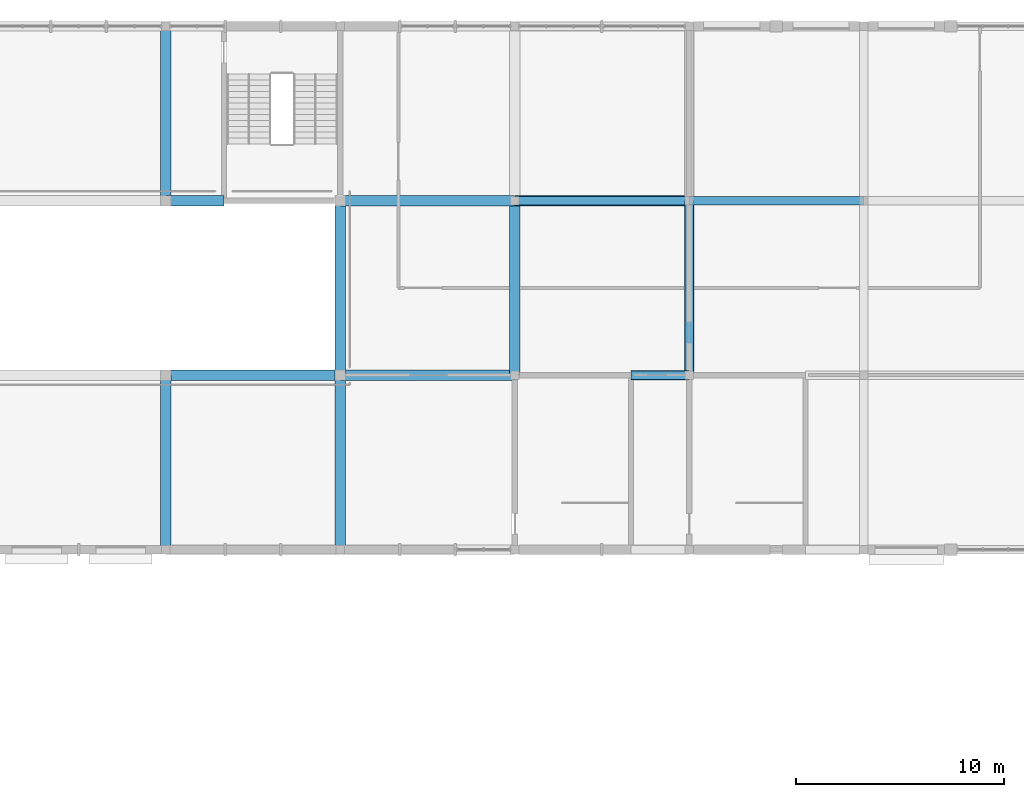
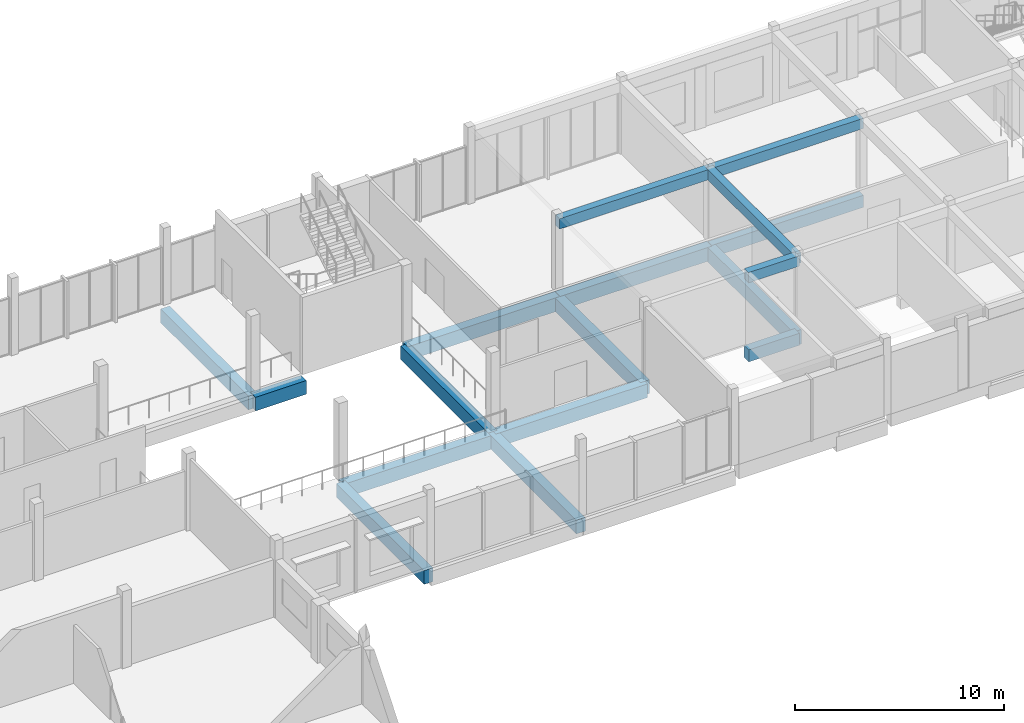
# One storey, part 11 of 38: 17 beams.
"""IFC4 building model written with IfcOpenShell, lengths in metres."""

import ifcopenshell
import ifcopenshell.guid

model = None  # the IFC model being written
_history = None  # IfcOwnerHistory: only IFC2X3 demands one
_inside = {}  # id of a spatial element -> (the spatial element, [elements in it])
_under = {}  # id of a project, library or spatial element -> (it, [spatial elements below it])
_declared = {}  # id of a project -> (the project, [libraries it declares])
_typed = {}  # id of a type object -> (the type object, [elements of that type])
_made_of = {}  # id of a material, layer set ... -> (it, [elements and type objects made of it])


def new_model(schema):
    """Start an empty IFC model of exactly this schema.

    Asked for "IFC4X3", IfcOpenShell would pick the latest addendum, in which some entities
    have other attributes; the version numbers below select the first issue.
    IFC2X3 requires an IfcOwnerHistory on every rooted entity: one is made here for all.
    """
    global model, _history
    if schema == "IFC4X3":
        model = ifcopenshell.file(schema_version=(4, 3, 0, 0))
    else:
        model = ifcopenshell.file(schema=schema)
    _inside.clear()
    _under.clear()
    _declared.clear()
    _typed.clear()
    _made_of.clear()
    _history = None
    if model.schema == "IFC2X3":
        org = make("IfcOrganization", Name="unknown")
        user = make(
            "IfcPersonAndOrganization",
            ThePerson=make("IfcPerson", FamilyName="unknown"),
            TheOrganization=org,
        )
        app = make(
            "IfcApplication",
            ApplicationDeveloper=org,
            Version="unknown",
            ApplicationFullName="unknown",
            ApplicationIdentifier="unknown",
        )
        _history = make(
            "IfcOwnerHistory",
            OwningUser=user,
            OwningApplication=app,
            ChangeAction="ADDED",
            CreationDate=0,
        )
    return model


def make(cls, **values):
    """One entity of the class cls with the attributes given. An attribute that is None is left unset."""
    return model.create_entity(
        cls, **{name: value for name, value in values.items() if value is not None}
    )


def rooted(cls, **values):
    """An entity with a GlobalId (a new one), such as an element, a storey or a relation."""
    return make(cls, GlobalId=ifcopenshell.guid.new(), OwnerHistory=_history, **values)


def si_unit(unit_type, name, prefix=None):
    """IfcSIUnit, for example si_unit("LENGTHUNIT", "METRE", prefix="MILLI")."""
    return make("IfcSIUnit", UnitType=unit_type, Prefix=prefix, Name=name)


def assignment(units):
    """IfcUnitAssignment: the units of a project."""
    return None if units is None else make("IfcUnitAssignment", Units=units)


def point(xyz):
    """IfcCartesianPoint."""
    return None if xyz is None else make("IfcCartesianPoint", Coordinates=xyz)


def direction(xyz):
    """IfcDirection."""
    return None if xyz is None else make("IfcDirection", DirectionRatios=xyz)


def frame(location, z_axis=None, x_axis=None):
    """IfcAxis2Placement3D, a coordinate frame: its origin and axes. An axis left out is left unset."""
    return make(
        "IfcAxis2Placement3D",
        Location=point(location),
        Axis=direction(z_axis),
        RefDirection=direction(x_axis),
    )


def frame_2d(location, x_axis=None):
    """IfcAxis2Placement2D, a coordinate frame in the plane: its origin and x axis."""
    return make(
        "IfcAxis2Placement2D", Location=point(location), RefDirection=direction(x_axis)
    )


def origin():
    """The frame at (0, 0, 0) with its axes left unset."""
    return frame((0.0, 0.0, 0.0))


def origin_2d():
    """The frame at (0, 0) in the plane with its x axis left unset."""
    return frame_2d((0.0, 0.0))


def place(relative_to, where):
    """IfcLocalPlacement: puts the frame where relative to a parent placement (None: the world)."""
    return make(
        "IfcLocalPlacement", PlacementRelTo=relative_to, RelativePlacement=where
    )


def context(
    kind, dimensions, precision=None, world=None, true_north=None, identifier=None
):
    """IfcGeometricRepresentationContext, for example the 3D "Model" context."""
    return make(
        "IfcGeometricRepresentationContext",
        ContextIdentifier=identifier,
        ContextType=kind,
        CoordinateSpaceDimension=dimensions,
        Precision=precision,
        WorldCoordinateSystem=world,
        TrueNorth=true_north,
    )


def subcontext(parent, identifier, kind, view, scale=None):
    """IfcGeometricRepresentationSubContext, for example "Body" below "Model"."""
    return make(
        "IfcGeometricRepresentationSubContext",
        ContextIdentifier=identifier,
        ContextType=kind,
        ParentContext=parent,
        TargetScale=scale,
        TargetView=view,
    )


def project(units=None, contexts=None):
    """IfcProject with its units and contexts."""
    return rooted(
        "IfcProject",
        Name="project",
        RepresentationContexts=contexts,
        UnitsInContext=assignment(units),
    )


def spatial(cls, under=None, at=None, **own):
    """A site, building, storey or space (cls), placed at a placement, below another one or the project."""
    s = rooted(cls, ObjectPlacement=at, **own)
    if under is not None:
        _under.setdefault(under.id(), (under, []))[1].append(s)
    return s


def profile(cls, at=None, kind="AREA", **sizes):
    """A parametric profile (cls). Its sizes go by their IFC names, for example OverallWidth=200.0."""
    return make(cls, ProfileType=kind, Position=at, **sizes)


def rectangle(**sizes):
    """IfcRectangleProfileDef."""
    return profile("IfcRectangleProfileDef", **sizes)


def extrude(swept, where, along, depth):
    """IfcExtrudedAreaSolid: the profile swept, set in the frame where, extruded along a direction by depth."""
    return make(
        "IfcExtrudedAreaSolid",
        SweptArea=swept,
        Position=where,
        ExtrudedDirection=direction(along),
        Depth=depth,
    )


def shape(context_of_items, identifier, shape_type, items):
    """IfcShapeRepresentation: the items that make up one representation, for example the "Body"."""
    return make(
        "IfcShapeRepresentation",
        ContextOfItems=context_of_items,
        RepresentationIdentifier=identifier,
        RepresentationType=shape_type,
        Items=items,
    )


def material(Name=None, Category=None):
    """IfcMaterial."""
    return make("IfcMaterial", Name=Name, Category=Category)


def material_profile(
    of_material, cross_section, Name=None, Category=None, Priority=None
):
    """IfcMaterialProfile: a cross section and its material."""
    return make(
        "IfcMaterialProfile",
        Name=Name,
        Material=of_material,
        Profile=cross_section,
        Priority=Priority,
        Category=Category,
    )


def profile_set(profiles, Name=None, composite=None):
    """IfcMaterialProfileSet."""
    return make(
        "IfcMaterialProfileSet",
        Name=Name,
        MaterialProfiles=profiles,
        CompositeProfile=composite,
    )


def made_of(thing, what):
    """Note that an element or type object is made of a material, layer set ...; save() writes the relation."""
    if what is not None:
        _made_of.setdefault(what.id(), (what, []))[1].append(thing)
    return thing


def type_object(cls, material=None, **own):
    """A type object (cls), such as IfcWallType, which elements share."""
    return made_of(rooted(cls, **own), material)


def element(
    cls,
    number,
    at=None,
    inside=None,
    cuts=None,
    type_object=None,
    material=None,
    context=None,
    identifier="Body",
    shape_type=None,
    held_by="IfcProductDefinitionShape",
    body=None,
    shapes=None,
    **own,
):
    """One element of the class cls, such as IfcWall. Its Tag is "e" and its number.

    at: its placement. inside: the storey or other place that contains it. cuts: it is an
    opening in that element (IfcRelVoidsElement). A single representation is given by context,
    identifier, shape_type and body (its items); several are given by shapes. held_by: the class
    of the entity that holds the representations. save() writes the other relations.
    """
    e = rooted(cls, Tag="e%d" % number, ObjectPlacement=at, **own)
    if body is not None:
        shapes = [shape(context, identifier, shape_type, body)]
    if shapes is not None:
        e.Representation = make(held_by, Representations=shapes)
    if inside is not None:
        _inside.setdefault(inside.id(), (inside, []))[1].append(e)
    if cuts is not None:
        rooted(
            "IfcRelVoidsElement", RelatingBuildingElement=cuts, RelatedOpeningElement=e
        )
    if type_object is not None:
        _typed.setdefault(type_object.id(), (type_object, []))[1].append(e)
    return made_of(e, material)


def aggregate(whole, parts):
    """IfcRelAggregates: a whole, such as a stair, and the parts it consists of."""
    return rooted("IfcRelAggregates", RelatingObject=whole, RelatedObjects=parts)


def save(model, path):
    """Write the relations noted so far, then the file.

    IfcRelAggregates (storeys below a building ...), IfcRelContainedInSpatialStructure (elements
    in a storey), IfcRelDefinesByType, IfcRelAssociatesMaterial and IfcRelDeclares: one each for
    every whole, place, type object, material and project.
    """
    for whole, parts in _under.values():
        aggregate(whole, parts)
    for where, things in _inside.values():
        rooted(
            "IfcRelContainedInSpatialStructure",
            RelatedElements=things,
            RelatingStructure=where,
        )
    for kind, things in _typed.values():
        rooted("IfcRelDefinesByType", RelatedObjects=things, RelatingType=kind)
    for what, things in _made_of.values():
        rooted("IfcRelAssociatesMaterial", RelatedObjects=things, RelatingMaterial=what)
    for by, libraries in _declared.values():
        rooted("IfcRelDeclares", RelatingContext=by, RelatedDefinitions=libraries)
    model.write(path)


model = new_model("IFC4")

# Units and contexts
model_context = context("Model", 3, precision=1e-05, world=origin(), true_north=direction((0.0, 1.0)))
body_context = subcontext(model_context, "Body", "Model", "MODEL_VIEW")
ifc_project = project(units=[si_unit("LENGTHUNIT", "METRE"), si_unit("AREAUNIT", "SQUARE_METRE"), si_unit("VOLUMEUNIT", "CUBIC_METRE"), si_unit("PLANEANGLEUNIT", "RADIAN"), si_unit("MASSUNIT", "GRAM", prefix="KILO")], contexts=[model_context])

# Site, building, storey
site_placement = place(None, origin())
site = spatial("IfcSite", under=ifc_project, at=site_placement, CompositionType="ELEMENT")
building_placement = place(site_placement, origin())
building = spatial("IfcBuilding", under=site, at=building_placement, Name="Fescue Hill Polytechnic", CompositionType="ELEMENT")
storey_placement = place(building_placement, frame((0.0, 0.0, 18.0)))
storey = spatial("IfcBuildingStorey", under=building, at=storey_placement, Name="L04", CompositionType="ELEMENT", Elevation=18.0)

# Beams
ifc_material = material(Name="Concrete 35 MPa", Category="concrete")
ifc_material_profile_1 = material_profile(ifc_material, rectangle(XDim=0.39990234375, YDim=0.60009765625, at=origin_2d()), Name="RC 400x600")
ifc_profile_set_1 = profile_set([ifc_material_profile_1], Name="Concrete 35 MPa")
beam_type_1 = type_object("IfcBeamType", Name="Beam RC 400x600", PredefinedType="BEAM", material=ifc_profile_set_1)
beam_1_placement = place(storey_placement, frame((50.409912109375, 126.0, 3.89990234375), z_axis=(1.0, 0.0, 0.0), x_axis=(0.0, 1.0, 0.0)))
element("IfcBeam", 1, at=beam_1_placement, inside=storey, type_object=beam_type_1, Name="BR-L04-0001", PredefinedType="BEAM", context=body_context, shape_type="SweptSolid", body=[
    extrude(rectangle(XDim=0.39990234375, YDim=0.60009765625, at=origin_2d()), origin(), (0.0, 0.0, 1.0), 8.380126953125),
])
beam_2_placement = place(storey_placement, frame((56.0, 117.60009765625, 3.89990234375), z_axis=(1.0, 0.0, 0.0), x_axis=(0.0, 1.0, 0.0)))
element("IfcBeam", 2, at=beam_2_placement, inside=storey, type_object=beam_type_1, Name="BR-L04-0004", PredefinedType="BEAM", context=body_context, shape_type="SweptSolid", body=[
    extrude(rectangle(XDim=0.39990234375, YDim=0.60009765625, at=origin_2d()), origin(), (0.0, 0.0, 1.0), 2.800048828125),
])
beam_3_placement = place(storey_placement, frame((58.800048828125, 117.60009765625, 3.89990234375), z_axis=(0.0, 1.0, 0.0), x_axis=(-1.0, 0.0, 0.0)))
element("IfcBeam", 3, at=beam_3_placement, inside=storey, type_object=beam_type_1, Name="BR-L04-0005", PredefinedType="BEAM", context=body_context, shape_type="SweptSolid", body=[
    extrude(rectangle(XDim=0.39990234375, YDim=0.60009765625, at=origin_2d()), origin(), (0.0, 0.0, 1.0), 8.39990234375),
])
beam_4_placement = place(storey_placement, frame((58.81005859375, 126.0, 3.89990234375), z_axis=(1.0, 0.0, 0.0), x_axis=(0.0, 1.0, 0.0)))
element("IfcBeam", 4, at=beam_4_placement, inside=storey, type_object=beam_type_1, Name="BR-L04-0007", PredefinedType="BEAM", context=body_context, shape_type="SweptSolid", body=[
    extrude(rectangle(XDim=0.39990234375, YDim=0.60009765625, at=origin_2d()), origin(), (0.0, 0.0, 1.0), 8.3798828125),
])
ifc_material_profile_2 = material_profile(ifc_material, rectangle(XDim=0.39990234375, YDim=0.699951171875, at=origin_2d()), Name="RC 400x700")
ifc_profile_set_2 = profile_set([ifc_material_profile_2], Name="Concrete 35 MPa")
beam_type_2 = type_object("IfcBeamType", Name="Beam RC 400x700", PredefinedType="BEAM", material=ifc_profile_set_2)
beam_5_placement = place(storey_placement, frame((58.81005859375, 126.0, -0.64990234375), z_axis=(1.0, 0.0, 0.0), x_axis=(0.0, 1.0, 0.0)))
element("IfcBeam", 5, at=beam_5_placement, inside=storey, type_object=beam_type_2, Name="BM-L04-0081", PredefinedType="BEAM", context=body_context, shape_type="SweptSolid", body=[
    extrude(rectangle(XDim=0.39990234375, YDim=0.699951171875, at=origin_2d()), origin(), (0.0, 0.0, 1.0), 8.3798828125),
])
ifc_material_profile_3 = material_profile(ifc_material, rectangle(XDim=0.449951171875, YDim=0.699951171875, at=origin_2d()), Name="RC 450x700")
ifc_profile_set_3 = profile_set([ifc_material_profile_3], Name="Concrete 35 MPa")
beam_type_3 = type_object("IfcBeamType", Name="Beam RC 450x700", PredefinedType="BEAM", material=ifc_profile_set_3)
beam_6_placement = place(storey_placement, frame((56.0, 117.60009765625, -0.64990234375), z_axis=(1.0, 0.0, 0.0), x_axis=(0.0, 1.0, 0.0)))
element("IfcBeam", 6, at=beam_6_placement, inside=storey, type_object=beam_type_3, Name="BM-L04-0078", PredefinedType="BEAM", context=body_context, shape_type="SweptSolid", body=[
    extrude(rectangle(XDim=0.449951171875, YDim=0.699951171875, at=origin_2d()), origin(), (0.0, 0.0, 1.0), 2.800048828125),
])
ifc_material_profile_4 = material_profile(ifc_material, rectangle(XDim=0.449951171875, YDim=0.85009765625, at=origin_2d()), Name="RC 450x850")
ifc_profile_set_4 = profile_set([ifc_material_profile_4], Name="Concrete 35 MPa")
beam_type_4 = type_object("IfcBeamType", Name="Beam RC 450x850", PredefinedType="BEAM", material=ifc_profile_set_4)
beam_7_placement = place(storey_placement, frame((58.800048828125, 117.60009765625, -0.72509765625), z_axis=(0.0, 1.0, 0.0), x_axis=(-1.0, 0.0, 0.0)))
element("IfcBeam", 7, at=beam_7_placement, inside=storey, type_object=beam_type_4, Name="BM-L04-0079", PredefinedType="BEAM", context=body_context, shape_type="SweptSolid", body=[
    extrude(rectangle(XDim=0.449951171875, YDim=0.85009765625, at=origin_2d()), origin(), (0.0, 0.0, 1.0), 8.39990234375),
])
ifc_material_profile_5 = material_profile(ifc_material, rectangle(XDim=0.5, YDim=0.800048828125, at=origin_2d()), Name="RC 500x800")
ifc_profile_set_5 = profile_set([ifc_material_profile_5], Name="Concrete 35 MPa")
beam_type_5 = type_object("IfcBeamType", Name="Beam RC 500x800", PredefinedType="BEAM", material=ifc_profile_set_5)
beam_8_placement = place(storey_placement, frame((33.60009765625, 109.199951171875, -0.699951171875), z_axis=(0.0, 1.0, 0.0), x_axis=(-1.0, 0.0, 0.0)))
element("IfcBeam", 8, at=beam_8_placement, inside=storey, type_object=beam_type_5, Name="BM-L04-0061", PredefinedType="BEAM", context=body_context, shape_type="SweptSolid", body=[
    extrude(rectangle(XDim=0.5, YDim=0.800048828125, at=origin_2d()), origin(), (0.0, 0.0, 1.0), 8.400146484375),
])
beam_9_placement = place(storey_placement, frame((33.60009765625, 126.0, -0.699951171875), z_axis=(0.0, 1.0, 0.0), x_axis=(-1.0, 0.0, 0.0)))
element("IfcBeam", 9, at=beam_9_placement, inside=storey, type_object=beam_type_5, Name="BM-L04-0062", PredefinedType="BEAM", context=body_context, shape_type="SweptSolid", body=[
    extrude(rectangle(XDim=0.5, YDim=0.800048828125, at=origin_2d()), origin(), (0.0, 0.0, 1.0), 8.39990234375),
])
beam_10_placement = place(storey_placement, frame((33.610107421875, 117.60009765625, -0.699951171875), z_axis=(1.0, 0.0, 0.0), x_axis=(0.0, 1.0, 0.0)))
element("IfcBeam", 10, at=beam_10_placement, inside=storey, type_object=beam_type_5, Name="BM-L04-0064", PredefinedType="BEAM", context=body_context, shape_type="SweptSolid", body=[
    extrude(rectangle(XDim=0.5, YDim=0.800048828125, at=origin_2d()), origin(), (0.0, 0.0, 1.0), 8.3798828125),
])
beam_11_placement = place(storey_placement, frame((33.610107421875, 126.0, -0.699951171875), z_axis=(1.0, 0.0, 0.0), x_axis=(0.0, 1.0, 0.0)))
element("IfcBeam", 11, at=beam_11_placement, inside=storey, type_object=beam_type_5, Name="BM-L04-0065", PredefinedType="BEAM", context=body_context, shape_type="SweptSolid", body=[
    extrude(rectangle(XDim=0.5, YDim=0.800048828125, at=origin_2d()), origin(), (0.0, 0.0, 1.0), 2.789794921875),
])
beam_12_placement = place(storey_placement, frame((42.0, 109.199951171875, -0.699951171875), z_axis=(0.0, 1.0, 0.0), x_axis=(-1.0, 0.0, 0.0)))
element("IfcBeam", 12, at=beam_12_placement, inside=storey, type_object=beam_type_5, Name="BM-L04-0067", PredefinedType="BEAM", context=body_context, shape_type="SweptSolid", body=[
    extrude(rectangle(XDim=0.5, YDim=0.800048828125, at=origin_2d()), origin(), (0.0, 0.0, 1.0), 8.400146484375),
])
beam_13_placement = place(storey_placement, frame((42.0, 117.60009765625, -0.699951171875), z_axis=(0.0, 1.0, 0.0), x_axis=(-1.0, 0.0, 0.0)))
element("IfcBeam", 13, at=beam_13_placement, inside=storey, type_object=beam_type_5, Name="BM-L04-0068", PredefinedType="BEAM", context=body_context, shape_type="SweptSolid", body=[
    extrude(rectangle(XDim=0.5, YDim=0.800048828125, at=origin_2d()), origin(), (0.0, 0.0, 1.0), 8.39990234375),
])
beam_14_placement = place(storey_placement, frame((42.010009765625, 117.60009765625, -0.699951171875), z_axis=(1.0, 0.0, 0.0), x_axis=(0.0, 1.0, 0.0)))
element("IfcBeam", 14, at=beam_14_placement, inside=storey, type_object=beam_type_5, Name="BM-L04-0071", PredefinedType="BEAM", context=body_context, shape_type="SweptSolid", body=[
    extrude(rectangle(XDim=0.5, YDim=0.800048828125, at=origin_2d()), origin(), (0.0, 0.0, 1.0), 8.389892578125),
])
beam_15_placement = place(storey_placement, frame((42.010009765625, 126.0, -0.699951171875), z_axis=(1.0, 0.0, 0.0), x_axis=(0.0, 1.0, 0.0)))
element("IfcBeam", 15, at=beam_15_placement, inside=storey, type_object=beam_type_5, Name="BM-L04-0072", PredefinedType="BEAM", context=body_context, shape_type="SweptSolid", body=[
    extrude(rectangle(XDim=0.5, YDim=0.800048828125, at=origin_2d()), origin(), (0.0, 0.0, 1.0), 8.3798828125),
])
beam_16_placement = place(storey_placement, frame((50.39990234375, 117.60009765625, -0.699951171875), z_axis=(0.0, 1.0, 0.0), x_axis=(-1.0, 0.0, 0.0)))
element("IfcBeam", 16, at=beam_16_placement, inside=storey, type_object=beam_type_5, Name="BM-L04-0073", PredefinedType="BEAM", context=body_context, shape_type="SweptSolid", body=[
    extrude(rectangle(XDim=0.5, YDim=0.800048828125, at=origin_2d()), origin(), (0.0, 0.0, 1.0), 8.39990234375),
])
beam_17_placement = place(storey_placement, frame((50.409912109375, 126.0, -0.699951171875), z_axis=(1.0, 0.0, 0.0), x_axis=(0.0, 1.0, 0.0)))
element("IfcBeam", 17, at=beam_17_placement, inside=storey, type_object=beam_type_5, Name="BM-L04-0075", PredefinedType="BEAM", context=body_context, shape_type="SweptSolid", body=[
    extrude(rectangle(XDim=0.5, YDim=0.800048828125, at=origin_2d()), origin(), (0.0, 0.0, 1.0), 8.380126953125),
])

save(model, "model.ifc")
